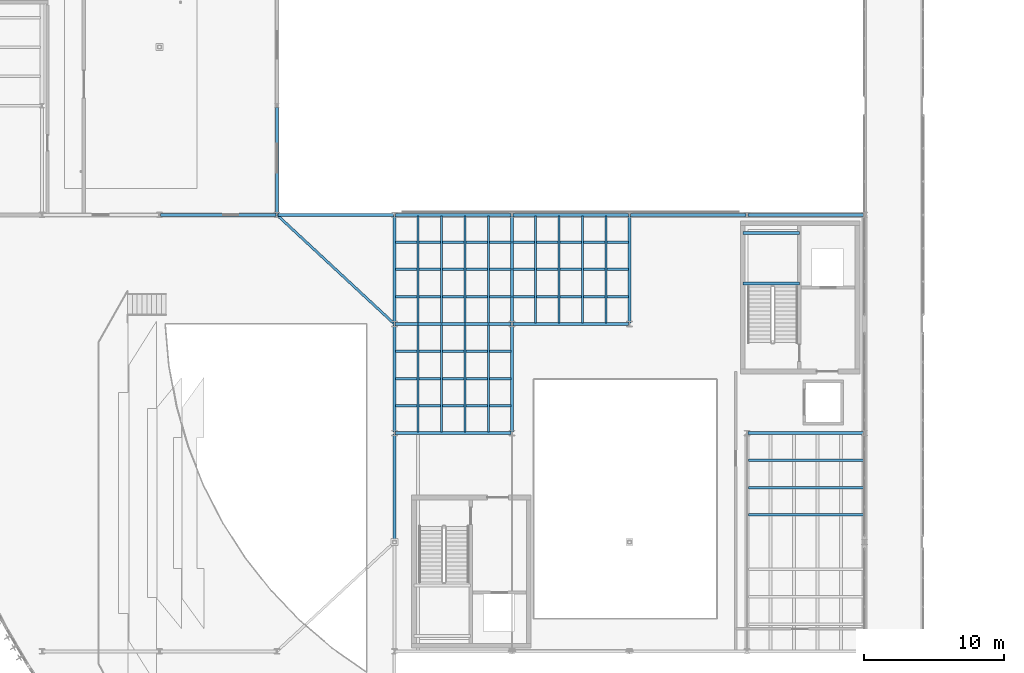
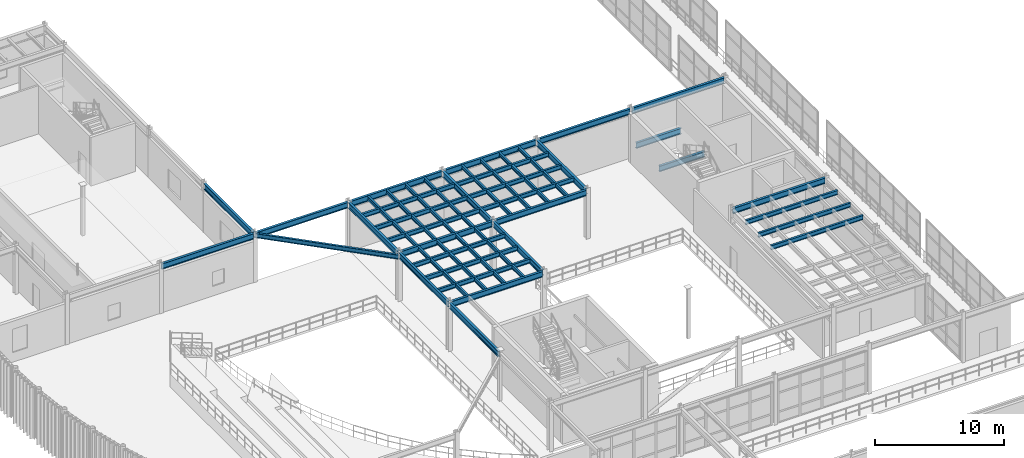
# One storey, part 38 of 116: 44 beams.
"""IFC4 building model written with IfcOpenShell, lengths in metres."""

import ifcopenshell
import ifcopenshell.guid

model = None  # the IFC model being written
_history = None  # IfcOwnerHistory: only IFC2X3 demands one
_inside = {}  # id of a spatial element -> (the spatial element, [elements in it])
_under = {}  # id of a project, library or spatial element -> (it, [spatial elements below it])
_declared = {}  # id of a project -> (the project, [libraries it declares])
_typed = {}  # id of a type object -> (the type object, [elements of that type])
_made_of = {}  # id of a material, layer set ... -> (it, [elements and type objects made of it])


def new_model(schema):
    """Start an empty IFC model of exactly this schema.

    Asked for "IFC4X3", IfcOpenShell would pick the latest addendum, in which some entities
    have other attributes; the version numbers below select the first issue.
    IFC2X3 requires an IfcOwnerHistory on every rooted entity: one is made here for all.
    """
    global model, _history
    if schema == "IFC4X3":
        model = ifcopenshell.file(schema_version=(4, 3, 0, 0))
    else:
        model = ifcopenshell.file(schema=schema)
    _inside.clear()
    _under.clear()
    _declared.clear()
    _typed.clear()
    _made_of.clear()
    _history = None
    if model.schema == "IFC2X3":
        org = make("IfcOrganization", Name="unknown")
        user = make(
            "IfcPersonAndOrganization",
            ThePerson=make("IfcPerson", FamilyName="unknown"),
            TheOrganization=org,
        )
        app = make(
            "IfcApplication",
            ApplicationDeveloper=org,
            Version="unknown",
            ApplicationFullName="unknown",
            ApplicationIdentifier="unknown",
        )
        _history = make(
            "IfcOwnerHistory",
            OwningUser=user,
            OwningApplication=app,
            ChangeAction="ADDED",
            CreationDate=0,
        )
    return model


def make(cls, **values):
    """One entity of the class cls with the attributes given. An attribute that is None is left unset."""
    return model.create_entity(
        cls, **{name: value for name, value in values.items() if value is not None}
    )


def rooted(cls, **values):
    """An entity with a GlobalId (a new one), such as an element, a storey or a relation."""
    return make(cls, GlobalId=ifcopenshell.guid.new(), OwnerHistory=_history, **values)


def si_unit(unit_type, name, prefix=None):
    """IfcSIUnit, for example si_unit("LENGTHUNIT", "METRE", prefix="MILLI")."""
    return make("IfcSIUnit", UnitType=unit_type, Prefix=prefix, Name=name)


def assignment(units):
    """IfcUnitAssignment: the units of a project."""
    return None if units is None else make("IfcUnitAssignment", Units=units)


def point(xyz):
    """IfcCartesianPoint."""
    return None if xyz is None else make("IfcCartesianPoint", Coordinates=xyz)


def direction(xyz):
    """IfcDirection."""
    return None if xyz is None else make("IfcDirection", DirectionRatios=xyz)


def frame(location, z_axis=None, x_axis=None):
    """IfcAxis2Placement3D, a coordinate frame: its origin and axes. An axis left out is left unset."""
    return make(
        "IfcAxis2Placement3D",
        Location=point(location),
        Axis=direction(z_axis),
        RefDirection=direction(x_axis),
    )


def frame_2d(location, x_axis=None):
    """IfcAxis2Placement2D, a coordinate frame in the plane: its origin and x axis."""
    return make(
        "IfcAxis2Placement2D", Location=point(location), RefDirection=direction(x_axis)
    )


def origin():
    """The frame at (0, 0, 0) with its axes left unset."""
    return frame((0.0, 0.0, 0.0))


def origin_2d():
    """The frame at (0, 0) in the plane with its x axis left unset."""
    return frame_2d((0.0, 0.0))


def place(relative_to, where):
    """IfcLocalPlacement: puts the frame where relative to a parent placement (None: the world)."""
    return make(
        "IfcLocalPlacement", PlacementRelTo=relative_to, RelativePlacement=where
    )


def context(
    kind, dimensions, precision=None, world=None, true_north=None, identifier=None
):
    """IfcGeometricRepresentationContext, for example the 3D "Model" context."""
    return make(
        "IfcGeometricRepresentationContext",
        ContextIdentifier=identifier,
        ContextType=kind,
        CoordinateSpaceDimension=dimensions,
        Precision=precision,
        WorldCoordinateSystem=world,
        TrueNorth=true_north,
    )


def subcontext(parent, identifier, kind, view, scale=None):
    """IfcGeometricRepresentationSubContext, for example "Body" below "Model"."""
    return make(
        "IfcGeometricRepresentationSubContext",
        ContextIdentifier=identifier,
        ContextType=kind,
        ParentContext=parent,
        TargetScale=scale,
        TargetView=view,
    )


def project(units=None, contexts=None):
    """IfcProject with its units and contexts."""
    return rooted(
        "IfcProject",
        Name="project",
        RepresentationContexts=contexts,
        UnitsInContext=assignment(units),
    )


def spatial(cls, under=None, at=None, **own):
    """A site, building, storey or space (cls), placed at a placement, below another one or the project."""
    s = rooted(cls, ObjectPlacement=at, **own)
    if under is not None:
        _under.setdefault(under.id(), (under, []))[1].append(s)
    return s


def profile(cls, at=None, kind="AREA", **sizes):
    """A parametric profile (cls). Its sizes go by their IFC names, for example OverallWidth=200.0."""
    return make(cls, ProfileType=kind, Position=at, **sizes)


def i_section(**sizes):
    """IfcIShapeProfileDef."""
    return profile("IfcIShapeProfileDef", **sizes)


def extrude(swept, where, along, depth):
    """IfcExtrudedAreaSolid: the profile swept, set in the frame where, extruded along a direction by depth."""
    return make(
        "IfcExtrudedAreaSolid",
        SweptArea=swept,
        Position=where,
        ExtrudedDirection=direction(along),
        Depth=depth,
    )


def shape(context_of_items, identifier, shape_type, items):
    """IfcShapeRepresentation: the items that make up one representation, for example the "Body"."""
    return make(
        "IfcShapeRepresentation",
        ContextOfItems=context_of_items,
        RepresentationIdentifier=identifier,
        RepresentationType=shape_type,
        Items=items,
    )


def material(Name=None, Category=None):
    """IfcMaterial."""
    return make("IfcMaterial", Name=Name, Category=Category)


def material_profile(
    of_material, cross_section, Name=None, Category=None, Priority=None
):
    """IfcMaterialProfile: a cross section and its material."""
    return make(
        "IfcMaterialProfile",
        Name=Name,
        Material=of_material,
        Profile=cross_section,
        Priority=Priority,
        Category=Category,
    )


def profile_set(profiles, Name=None, composite=None):
    """IfcMaterialProfileSet."""
    return make(
        "IfcMaterialProfileSet",
        Name=Name,
        MaterialProfiles=profiles,
        CompositeProfile=composite,
    )


def made_of(thing, what):
    """Note that an element or type object is made of a material, layer set ...; save() writes the relation."""
    if what is not None:
        _made_of.setdefault(what.id(), (what, []))[1].append(thing)
    return thing


def type_object(cls, material=None, **own):
    """A type object (cls), such as IfcWallType, which elements share."""
    return made_of(rooted(cls, **own), material)


def element(
    cls,
    number,
    at=None,
    inside=None,
    cuts=None,
    type_object=None,
    material=None,
    context=None,
    identifier="Body",
    shape_type=None,
    held_by="IfcProductDefinitionShape",
    body=None,
    shapes=None,
    **own,
):
    """One element of the class cls, such as IfcWall. Its Tag is "e" and its number.

    at: its placement. inside: the storey or other place that contains it. cuts: it is an
    opening in that element (IfcRelVoidsElement). A single representation is given by context,
    identifier, shape_type and body (its items); several are given by shapes. held_by: the class
    of the entity that holds the representations. save() writes the other relations.
    """
    e = rooted(cls, Tag="e%d" % number, ObjectPlacement=at, **own)
    if body is not None:
        shapes = [shape(context, identifier, shape_type, body)]
    if shapes is not None:
        e.Representation = make(held_by, Representations=shapes)
    if inside is not None:
        _inside.setdefault(inside.id(), (inside, []))[1].append(e)
    if cuts is not None:
        rooted(
            "IfcRelVoidsElement", RelatingBuildingElement=cuts, RelatedOpeningElement=e
        )
    if type_object is not None:
        _typed.setdefault(type_object.id(), (type_object, []))[1].append(e)
    return made_of(e, material)


def aggregate(whole, parts):
    """IfcRelAggregates: a whole, such as a stair, and the parts it consists of."""
    return rooted("IfcRelAggregates", RelatingObject=whole, RelatedObjects=parts)


def save(model, path):
    """Write the relations noted so far, then the file.

    IfcRelAggregates (storeys below a building ...), IfcRelContainedInSpatialStructure (elements
    in a storey), IfcRelDefinesByType, IfcRelAssociatesMaterial and IfcRelDeclares: one each for
    every whole, place, type object, material and project.
    """
    for whole, parts in _under.values():
        aggregate(whole, parts)
    for where, things in _inside.values():
        rooted(
            "IfcRelContainedInSpatialStructure",
            RelatedElements=things,
            RelatingStructure=where,
        )
    for kind, things in _typed.values():
        rooted("IfcRelDefinesByType", RelatedObjects=things, RelatingType=kind)
    for what, things in _made_of.values():
        rooted("IfcRelAssociatesMaterial", RelatedObjects=things, RelatingMaterial=what)
    for by, libraries in _declared.values():
        rooted("IfcRelDeclares", RelatingContext=by, RelatedDefinitions=libraries)
    model.write(path)


model = new_model("IFC4")

# Units and contexts
model_context = context("Model", 3, precision=1e-05, world=origin(), true_north=direction((0.0, 1.0)))
body_context = subcontext(model_context, "Body", "Model", "MODEL_VIEW")
ifc_project = project(units=[si_unit("LENGTHUNIT", "METRE"), si_unit("AREAUNIT", "SQUARE_METRE"), si_unit("VOLUMEUNIT", "CUBIC_METRE"), si_unit("PLANEANGLEUNIT", "RADIAN"), si_unit("MASSUNIT", "GRAM", prefix="KILO")], contexts=[model_context])

# Site, building, storey
site_placement = place(None, origin())
site = spatial("IfcSite", under=ifc_project, at=site_placement, CompositionType="ELEMENT")
building_placement = place(site_placement, origin())
building = spatial("IfcBuilding", under=site, at=building_placement, Name="Selat Folded Stagehouse", CompositionType="ELEMENT")
storey_placement = place(building_placement, frame((0.0, 0.0, 5.39990234375)))
storey = spatial("IfcBuildingStorey", under=building, at=storey_placement, Name="L01", CompositionType="ELEMENT", Elevation=5.39990234375)

# Beams
ifc_material = material(Name="Steel S355", Category="steel")
ifc_material_profile_1 = material_profile(ifc_material, i_section(OverallWidth=0.210693359375, OverallDepth=0.53955078125, WebThickness=0.01171875, FlangeThickness=0.018798828125, FilletRadius=0.0126953125, at=origin_2d()), Name="UKB 533x210x109")
ifc_profile_set_1 = profile_set([ifc_material_profile_1], Name="Steel S355")
beam_type_1 = type_object("IfcBeamType", Name="BM-GIRD-533x210x109", PredefinedType="BEAM", material=ifc_profile_set_1)
beam_1_placement = place(storey_placement, frame((25.199951171875, 54.679931640625, 4.310302734375), z_axis=(0.0, 1.0, 0.0), x_axis=(-1.0, 0.0, 0.0)))
element("IfcBeam", 1, at=beam_1_placement, inside=storey, type_object=beam_type_1, Name="L01 primary y-girder 0810", PredefinedType="BEAM", context=body_context, shape_type="SweptSolid", body=[
    extrude(i_section(OverallWidth=0.210693359375, OverallDepth=0.53955078125, WebThickness=0.01171875, FlangeThickness=0.018798828125, FilletRadius=0.0126953125, at=origin_2d()), origin(), (0.0, 0.0, 1.0), 7.64306640625),
])
beam_2_placement = place(storey_placement, frame((33.60009765625, 31.27490234375, 4.310302734375), z_axis=(0.0, 1.0, 0.0), x_axis=(-1.0, 0.0, 0.0)))
element("IfcBeam", 2, at=beam_2_placement, inside=storey, type_object=beam_type_1, Name="L01 primary y-girder 0816", PredefinedType="BEAM", context=body_context, shape_type="SweptSolid", body=[
    extrude(i_section(OverallWidth=0.210693359375, OverallDepth=0.53955078125, WebThickness=0.01171875, FlangeThickness=0.018798828125, FilletRadius=0.0126953125, at=origin_2d()), origin(), (0.0, 0.0, 1.0), 7.64501953125),
])
beam_3_placement = place(storey_placement, frame((33.60009765625, 39.080078125, 4.310302734375), z_axis=(0.0, 1.0, 0.0), x_axis=(-1.0, 0.0, 0.0)))
element("IfcBeam", 3, at=beam_3_placement, inside=storey, type_object=beam_type_1, Name="L01 primary y-girder 0817", PredefinedType="BEAM", context=body_context, shape_type="SweptSolid", body=[
    extrude(i_section(OverallWidth=0.210693359375, OverallDepth=0.53955078125, WebThickness=0.01171875, FlangeThickness=0.018798828125, FilletRadius=0.0126953125, at=origin_2d()), origin(), (0.0, 0.0, 1.0), 7.639892578125),
])
beam_4_placement = place(storey_placement, frame((33.60009765625, 46.8798828125, 4.310302734375), z_axis=(0.0, 1.0, 0.0), x_axis=(-1.0, 0.0, 0.0)))
element("IfcBeam", 4, at=beam_4_placement, inside=storey, type_object=beam_type_1, Name="L01 primary y-girder 0818", PredefinedType="BEAM", context=body_context, shape_type="SweptSolid", body=[
    extrude(i_section(OverallWidth=0.210693359375, OverallDepth=0.53955078125, WebThickness=0.01171875, FlangeThickness=0.018798828125, FilletRadius=0.0126953125, at=origin_2d()), origin(), (0.0, 0.0, 1.0), 7.64013671875),
])
beam_5_placement = place(storey_placement, frame((42.0, 39.080078125, 4.310302734375), z_axis=(0.0, 1.0, 0.0), x_axis=(-1.0, 0.0, 0.0)))
element("IfcBeam", 5, at=beam_5_placement, inside=storey, type_object=beam_type_1, Name="L01 primary y-girder 0820", PredefinedType="BEAM", context=body_context, shape_type="SweptSolid", body=[
    extrude(i_section(OverallWidth=0.210693359375, OverallDepth=0.53955078125, WebThickness=0.01171875, FlangeThickness=0.018798828125, FilletRadius=0.0126953125, at=origin_2d()), origin(), (0.0, 0.0, 1.0), 7.639892578125),
])
for number, where, z_axis, x_axis, name in (
    (6, (42.0, 46.8798828125, 4.310302734375), (0.0, 1.0, 0.0), (-1.0, 0.0, 0.0), "L01 primary y-girder 0821"),
    (7, (50.39990234375, 46.8798828125, 4.310302734375), (0.0, 1.0, 0.0), (-1.0, 0.0, 0.0), "L01 primary y-girder 0822"),
):
    element("IfcBeam", number, at=place(storey_placement, frame(where, z_axis=z_axis, x_axis=x_axis)), inside=storey, type_object=beam_type_1, Name=name, PredefinedType="BEAM", context=body_context, shape_type="SweptSolid", body=[
        extrude(i_section(OverallWidth=0.210693359375, OverallDepth=0.53955078125, WebThickness=0.01171875, FlangeThickness=0.018798828125, FilletRadius=0.0126953125, at=origin_2d()), origin(), (0.0, 0.0, 1.0), 7.64013671875),
    ])
ifc_material_profile_2 = material_profile(ifc_material, i_section(OverallWidth=0.209228515625, OverallDepth=0.533203125, WebThickness=0.010009765625, FlangeThickness=0.015625, FilletRadius=0.0126953125, at=origin_2d()), Name="UKB 533x210x92")
ifc_profile_set_2 = profile_set([ifc_material_profile_2], Name="Steel S355")
beam_type_2 = type_object("IfcBeamType", Name="BM-GIRD-533x210x92", PredefinedType="BEAM", material=ifc_profile_set_2)
beam_6_placement = place(storey_placement, frame((33.679931640625, 39.0, 4.3134765625), z_axis=(1.0, 0.0, 0.0), x_axis=(0.0, 1.0, 0.0)))
element("IfcBeam", 8, at=beam_6_placement, inside=storey, type_object=beam_type_2, Name="L01 primary x-girder 0788", PredefinedType="BEAM", context=body_context, shape_type="SweptSolid", body=[
    extrude(i_section(OverallWidth=0.209228515625, OverallDepth=0.533203125, WebThickness=0.010009765625, FlangeThickness=0.015625, FilletRadius=0.0126953125, at=origin_2d()), origin(), (0.0, 0.0, 1.0), 8.239990234375),
])
beam_7_placement = place(storey_placement, frame((58.8798828125, 39.0, 4.3134765625), z_axis=(1.0, 0.0, 0.0), x_axis=(0.0, 1.0, 0.0)))
element("IfcBeam", 9, at=beam_7_placement, inside=storey, type_object=beam_type_2, Name="L01 primary x-girder 0789", PredefinedType="BEAM", context=body_context, shape_type="SweptSolid", body=[
    extrude(i_section(OverallWidth=0.209228515625, OverallDepth=0.533203125, WebThickness=0.010009765625, FlangeThickness=0.015625, FilletRadius=0.0126953125, at=origin_2d()), origin(), (0.0, 0.0, 1.0), 8.240234375),
])
for number, where, z_axis, x_axis, name in (
    (10, (33.679931640625, 46.800048828125, 4.3134765625), (1.0, 0.0, 0.0), (0.0, 1.0, 0.0), "L01 primary x-girder 0790"),
    (11, (42.080078125, 46.800048828125, 4.3134765625), (1.0, 0.0, 0.0), (0.0, 1.0, 0.0), "L01 primary x-girder 0791"),
):
    element("IfcBeam", number, at=place(storey_placement, frame(where, z_axis=z_axis, x_axis=x_axis)), inside=storey, type_object=beam_type_2, Name=name, PredefinedType="BEAM", context=body_context, shape_type="SweptSolid", body=[
        extrude(i_section(OverallWidth=0.209228515625, OverallDepth=0.533203125, WebThickness=0.010009765625, FlangeThickness=0.015625, FilletRadius=0.0126953125, at=origin_2d()), origin(), (0.0, 0.0, 1.0), 8.239990234375),
    ])
beam_8_placement = place(storey_placement, frame((16.8798828125, 54.60009765625, 4.3134765625), z_axis=(1.0, 0.0, 0.0), x_axis=(0.0, 1.0, 0.0)))
element("IfcBeam", 12, at=beam_8_placement, inside=storey, type_object=beam_type_2, Name="L01 primary x-girder 0793", PredefinedType="BEAM", context=body_context, shape_type="SweptSolid", body=[
    extrude(i_section(OverallWidth=0.209228515625, OverallDepth=0.533203125, WebThickness=0.010009765625, FlangeThickness=0.015625, FilletRadius=0.0126953125, at=origin_2d()), origin(), (0.0, 0.0, 1.0), 8.240234375),
])
for number, where, z_axis, x_axis, name in (
    (13, (25.280029296875, 54.60009765625, 4.3134765625), (1.0, 0.0, 0.0), (0.0, 1.0, 0.0), "L01 primary x-girder 0794"),
    (14, (33.679931640625, 54.60009765625, 4.3134765625), (1.0, 0.0, 0.0), (0.0, 1.0, 0.0), "L01 primary x-girder 0795"),
    (15, (42.080078125, 54.60009765625, 4.3134765625), (1.0, 0.0, 0.0), (0.0, 1.0, 0.0), "L01 primary x-girder 0796"),
    (16, (50.47998046875, 54.60009765625, 4.3134765625), (1.0, 0.0, 0.0), (0.0, 1.0, 0.0), "L01 primary x-girder 0797"),
):
    element("IfcBeam", number, at=place(storey_placement, frame(where, z_axis=z_axis, x_axis=x_axis)), inside=storey, type_object=beam_type_2, Name=name, PredefinedType="BEAM", context=body_context, shape_type="SweptSolid", body=[
        extrude(i_section(OverallWidth=0.209228515625, OverallDepth=0.533203125, WebThickness=0.010009765625, FlangeThickness=0.015625, FilletRadius=0.0126953125, at=origin_2d()), origin(), (0.0, 0.0, 1.0), 8.239990234375),
    ])
beam_9_placement = place(storey_placement, frame((58.8798828125, 54.60009765625, 4.3134765625), z_axis=(1.0, 0.0, 0.0), x_axis=(0.0, 1.0, 0.0)))
element("IfcBeam", 17, at=beam_9_placement, inside=storey, type_object=beam_type_2, Name="L01 primary x-girder 0798", PredefinedType="BEAM", context=body_context, shape_type="SweptSolid", body=[
    extrude(i_section(OverallWidth=0.209228515625, OverallDepth=0.533203125, WebThickness=0.010009765625, FlangeThickness=0.015625, FilletRadius=0.0126953125, at=origin_2d()), origin(), (0.0, 0.0, 1.0), 8.240234375),
])
for number, where, z_axis, x_axis, name in (
    (18, (58.5, 49.699951171875, 1.93359375), (1.0, 0.0, 0.0), (0.0, 1.0, 0.0), "L01 ST-02 landing support beam 1"),
    (19, (58.5, 53.31005859375, 1.93359375), (1.0, 0.0, 0.0), (0.0, 1.0, 0.0), "L01 ST-02 landing support beam 2"),
):
    element("IfcBeam", number, at=place(storey_placement, frame(where, z_axis=z_axis, x_axis=x_axis)), inside=storey, type_object=beam_type_2, Name=name, PredefinedType="BEAM", context=body_context, shape_type="SweptSolid", body=[
        extrude(i_section(OverallWidth=0.209228515625, OverallDepth=0.533203125, WebThickness=0.010009765625, FlangeThickness=0.015625, FilletRadius=0.0126953125, at=origin_2d()), origin(), (0.0, 0.0, 1.0), 4.050048828125),
    ])
ifc_material_profile_3 = material_profile(ifc_material, i_section(OverallWidth=0.179443359375, OverallDepth=0.412841796875, WebThickness=0.009521484375, FlangeThickness=0.01611328125, FilletRadius=0.01025390625, at=origin_2d()), Name="UKB 406x178x74")
ifc_profile_set_3 = profile_set([ifc_material_profile_3], Name="Steel S355")
beam_type_3 = type_object("IfcBeamType", Name="BM-RAKER-406x178x74", PredefinedType="BEAM", material=ifc_profile_set_3)
beam_10_placement = place(storey_placement, frame((33.60009765625, 46.800048828125, 4.080078125), z_axis=(-0.732594068574, 0.680258316531, 0.023548959219), x_axis=(-0.680447014825, -0.732797284394, 0.0)))
element("IfcBeam", 20, at=beam_10_placement, inside=storey, type_object=beam_type_3, Name="L01 upper circle radial raker beam N", PredefinedType="BEAM", context=body_context, shape_type="SweptSolid", body=[
    extrude(i_section(OverallWidth=0.179443359375, OverallDepth=0.412841796875, WebThickness=0.009521484375, FlangeThickness=0.01611328125, FilletRadius=0.01025390625, at=origin_2d()), origin(), (0.0, 0.0, 1.0), 11.46630859375),
])
ifc_material_profile_4 = material_profile(ifc_material, i_section(OverallWidth=0.17138671875, OverallDepth=0.35498046875, WebThickness=0.00732421875, FlangeThickness=0.011474609375, FilletRadius=0.01025390625, at=origin_2d()), Name="UKB 356x171x51")
ifc_profile_set_4 = profile_set([ifc_material_profile_4], Name="Steel S355")
beam_type_4 = type_object("IfcBeamType", Name="JST-356x171x51", PredefinedType="JOIST", material=ifc_profile_set_4)
beam_11_placement = place(storey_placement, frame((35.280029296875, 39.0732421875, 4.402587890625), z_axis=(0.0, 1.0, 0.0), x_axis=(-1.0, 0.0, 0.0)))
element("IfcBeam", 21, at=beam_11_placement, inside=storey, type_object=beam_type_4, Name="L01 secondary floor joist 0863", PredefinedType="JOIST", context=body_context, shape_type="SweptSolid", body=[
    extrude(i_section(OverallWidth=0.17138671875, OverallDepth=0.35498046875, WebThickness=0.00732421875, FlangeThickness=0.011474609375, FilletRadius=0.01025390625, at=origin_2d()), origin(), (0.0, 0.0, 1.0), 7.653564453125),
])
beam_12_placement = place(storey_placement, frame((35.280029296875, 46.873291015625, 4.402587890625), z_axis=(0.0, 1.0, 0.0), x_axis=(-1.0, 0.0, 0.0)))
element("IfcBeam", 22, at=beam_12_placement, inside=storey, type_object=beam_type_4, Name="L01 secondary floor joist 0864", PredefinedType="JOIST", context=body_context, shape_type="SweptSolid", body=[
    extrude(i_section(OverallWidth=0.17138671875, OverallDepth=0.35498046875, WebThickness=0.00732421875, FlangeThickness=0.011474609375, FilletRadius=0.01025390625, at=origin_2d()), origin(), (0.0, 0.0, 1.0), 7.6533203125),
])
beam_13_placement = place(storey_placement, frame((36.9599609375, 39.0732421875, 4.402587890625), z_axis=(0.0, 1.0, 0.0), x_axis=(-1.0, 0.0, 0.0)))
element("IfcBeam", 23, at=beam_13_placement, inside=storey, type_object=beam_type_4, Name="L01 secondary floor joist 0865", PredefinedType="JOIST", context=body_context, shape_type="SweptSolid", body=[
    extrude(i_section(OverallWidth=0.17138671875, OverallDepth=0.35498046875, WebThickness=0.00732421875, FlangeThickness=0.011474609375, FilletRadius=0.01025390625, at=origin_2d()), origin(), (0.0, 0.0, 1.0), 7.653564453125),
])
beam_14_placement = place(storey_placement, frame((36.9599609375, 46.873291015625, 4.402587890625), z_axis=(0.0, 1.0, 0.0), x_axis=(-1.0, 0.0, 0.0)))
element("IfcBeam", 24, at=beam_14_placement, inside=storey, type_object=beam_type_4, Name="L01 secondary floor joist 0866", PredefinedType="JOIST", context=body_context, shape_type="SweptSolid", body=[
    extrude(i_section(OverallWidth=0.17138671875, OverallDepth=0.35498046875, WebThickness=0.00732421875, FlangeThickness=0.011474609375, FilletRadius=0.01025390625, at=origin_2d()), origin(), (0.0, 0.0, 1.0), 7.6533203125),
])
beam_15_placement = place(storey_placement, frame((38.639892578125, 39.0732421875, 4.402587890625), z_axis=(0.0, 1.0, 0.0), x_axis=(-1.0, 0.0, 0.0)))
element("IfcBeam", 25, at=beam_15_placement, inside=storey, type_object=beam_type_4, Name="L01 secondary floor joist 0867", PredefinedType="JOIST", context=body_context, shape_type="SweptSolid", body=[
    extrude(i_section(OverallWidth=0.17138671875, OverallDepth=0.35498046875, WebThickness=0.00732421875, FlangeThickness=0.011474609375, FilletRadius=0.01025390625, at=origin_2d()), origin(), (0.0, 0.0, 1.0), 7.653564453125),
])
beam_16_placement = place(storey_placement, frame((38.639892578125, 46.873291015625, 4.402587890625), z_axis=(0.0, 1.0, 0.0), x_axis=(-1.0, 0.0, 0.0)))
element("IfcBeam", 26, at=beam_16_placement, inside=storey, type_object=beam_type_4, Name="L01 secondary floor joist 0868", PredefinedType="JOIST", context=body_context, shape_type="SweptSolid", body=[
    extrude(i_section(OverallWidth=0.17138671875, OverallDepth=0.35498046875, WebThickness=0.00732421875, FlangeThickness=0.011474609375, FilletRadius=0.01025390625, at=origin_2d()), origin(), (0.0, 0.0, 1.0), 7.6533203125),
])
beam_17_placement = place(storey_placement, frame((40.320068359375, 39.0732421875, 4.402587890625), z_axis=(0.0, 1.0, 0.0), x_axis=(-1.0, 0.0, 0.0)))
element("IfcBeam", 27, at=beam_17_placement, inside=storey, type_object=beam_type_4, Name="L01 secondary floor joist 0869", PredefinedType="JOIST", context=body_context, shape_type="SweptSolid", body=[
    extrude(i_section(OverallWidth=0.17138671875, OverallDepth=0.35498046875, WebThickness=0.00732421875, FlangeThickness=0.011474609375, FilletRadius=0.01025390625, at=origin_2d()), origin(), (0.0, 0.0, 1.0), 7.653564453125),
])
for number, where, z_axis, x_axis, name in (
    (28, (40.320068359375, 46.873291015625, 4.402587890625), (0.0, 1.0, 0.0), (-1.0, 0.0, 0.0), "L01 secondary floor joist 0870"),
    (29, (43.679931640625, 46.873291015625, 4.402587890625), (0.0, 1.0, 0.0), (-1.0, 0.0, 0.0), "L01 secondary floor joist 0872"),
    (30, (45.360107421875, 46.873291015625, 4.402587890625), (0.0, 1.0, 0.0), (-1.0, 0.0, 0.0), "L01 secondary floor joist 0873"),
    (31, (47.0400390625, 46.873291015625, 4.402587890625), (0.0, 1.0, 0.0), (-1.0, 0.0, 0.0), "L01 secondary floor joist 0874"),
    (32, (48.719970703125, 46.873291015625, 4.402587890625), (0.0, 1.0, 0.0), (-1.0, 0.0, 0.0), "L01 secondary floor joist 0875"),
):
    element("IfcBeam", number, at=place(storey_placement, frame(where, z_axis=z_axis, x_axis=x_axis)), inside=storey, type_object=beam_type_4, Name=name, PredefinedType="JOIST", context=body_context, shape_type="SweptSolid", body=[
        extrude(i_section(OverallWidth=0.17138671875, OverallDepth=0.35498046875, WebThickness=0.00732421875, FlangeThickness=0.011474609375, FilletRadius=0.01025390625, at=origin_2d()), origin(), (0.0, 0.0, 1.0), 7.6533203125),
    ])
ifc_material_profile_5 = material_profile(ifc_material, i_section(OverallWidth=0.177978515625, OverallDepth=0.406494140625, WebThickness=0.0078125, FlangeThickness=0.0126953125, FilletRadius=0.01025390625, at=origin_2d()), Name="UKB 406x178x60")
ifc_profile_set_5 = profile_set([ifc_material_profile_5], Name="Steel S355")
beam_type_5 = type_object("IfcBeamType", Name="JST-406x178x60", PredefinedType="JOIST", material=ifc_profile_set_5)
for number, where, z_axis, x_axis, name in (
    (33, (58.893798828125, 33.14990234375, 4.376953125), (1.0, 0.0, 0.0), (0.0, 1.0, 0.0), "L01 secondary x-joist 0960"),
    (34, (58.893798828125, 35.10009765625, 4.376953125), (1.0, 0.0, 0.0), (0.0, 1.0, 0.0), "L01 secondary x-joist 0964"),
    (35, (58.893798828125, 37.050048828125, 4.376953125), (1.0, 0.0, 0.0), (0.0, 1.0, 0.0), "L01 secondary x-joist 0965"),
):
    element("IfcBeam", number, at=place(storey_placement, frame(where, z_axis=z_axis, x_axis=x_axis)), inside=storey, type_object=beam_type_5, Name=name, PredefinedType="JOIST", context=body_context, shape_type="SweptSolid", body=[
        extrude(i_section(OverallWidth=0.177978515625, OverallDepth=0.406494140625, WebThickness=0.0078125, FlangeThickness=0.0126953125, FilletRadius=0.01025390625, at=origin_2d()), origin(), (0.0, 0.0, 1.0), 8.232421875),
    ])
for number, where, z_axis, x_axis, name in (
    (36, (33.673828125, 40.949951171875, 4.376953125), (1.0, 0.0, 0.0), (0.0, 1.0, 0.0), "L01 secondary x-joist 0966"),
    (37, (33.673828125, 42.89990234375, 4.376953125), (1.0, 0.0, 0.0), (0.0, 1.0, 0.0), "L01 secondary x-joist 0967"),
    (38, (33.673828125, 44.85009765625, 4.376953125), (1.0, 0.0, 0.0), (0.0, 1.0, 0.0), "L01 secondary x-joist 0968"),
    (39, (33.673828125, 48.75, 4.376953125), (1.0, 0.0, 0.0), (0.0, 1.0, 0.0), "L01 secondary x-joist 0969"),
    (40, (42.07373046875, 48.75, 4.376953125), (1.0, 0.0, 0.0), (0.0, 1.0, 0.0), "L01 secondary x-joist 0970"),
    (41, (33.673828125, 50.699951171875, 4.376953125), (1.0, 0.0, 0.0), (0.0, 1.0, 0.0), "L01 secondary x-joist 0971"),
    (42, (42.07373046875, 50.699951171875, 4.376953125), (1.0, 0.0, 0.0), (0.0, 1.0, 0.0), "L01 secondary x-joist 0972"),
    (43, (33.673828125, 52.64990234375, 4.376953125), (1.0, 0.0, 0.0), (0.0, 1.0, 0.0), "L01 secondary x-joist 0973"),
    (44, (42.07373046875, 52.64990234375, 4.376953125), (1.0, 0.0, 0.0), (0.0, 1.0, 0.0), "L01 secondary x-joist 0974"),
):
    element("IfcBeam", number, at=place(storey_placement, frame(where, z_axis=z_axis, x_axis=x_axis)), inside=storey, type_object=beam_type_5, Name=name, PredefinedType="JOIST", context=body_context, shape_type="SweptSolid", body=[
        extrude(i_section(OverallWidth=0.177978515625, OverallDepth=0.406494140625, WebThickness=0.0078125, FlangeThickness=0.0126953125, FilletRadius=0.01025390625, at=origin_2d()), origin(), (0.0, 0.0, 1.0), 8.25244140625),
    ])

save(model, "model.ifc")
